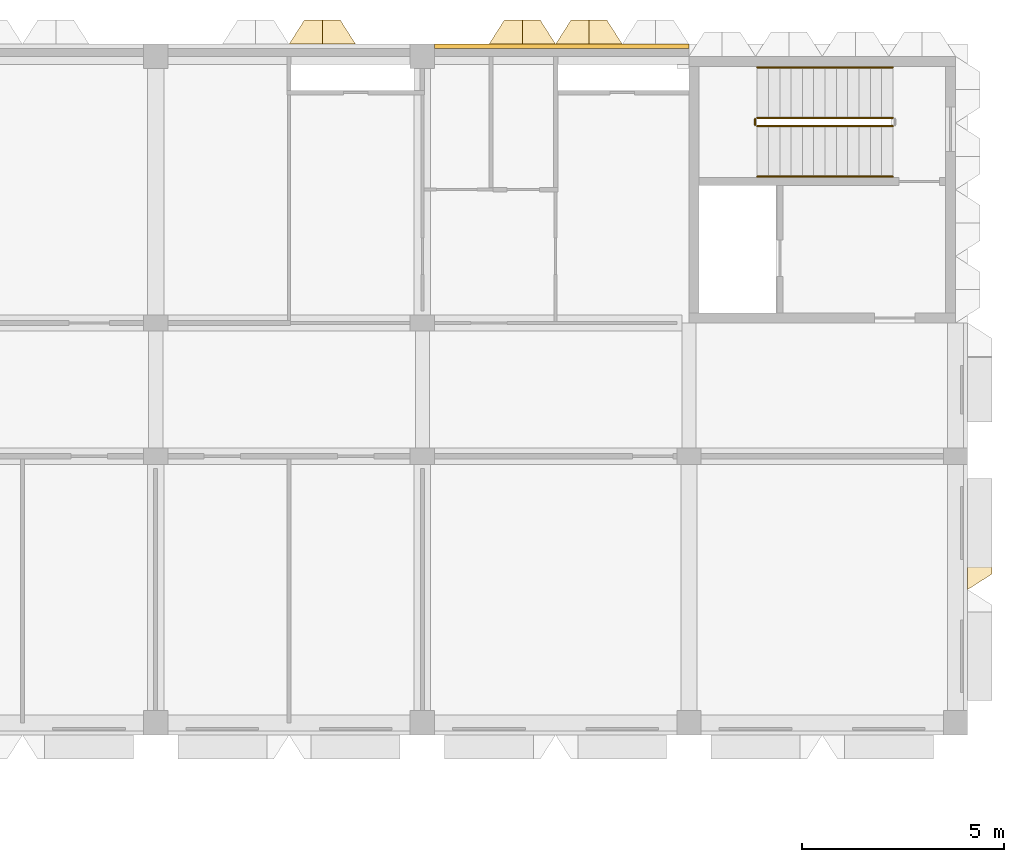
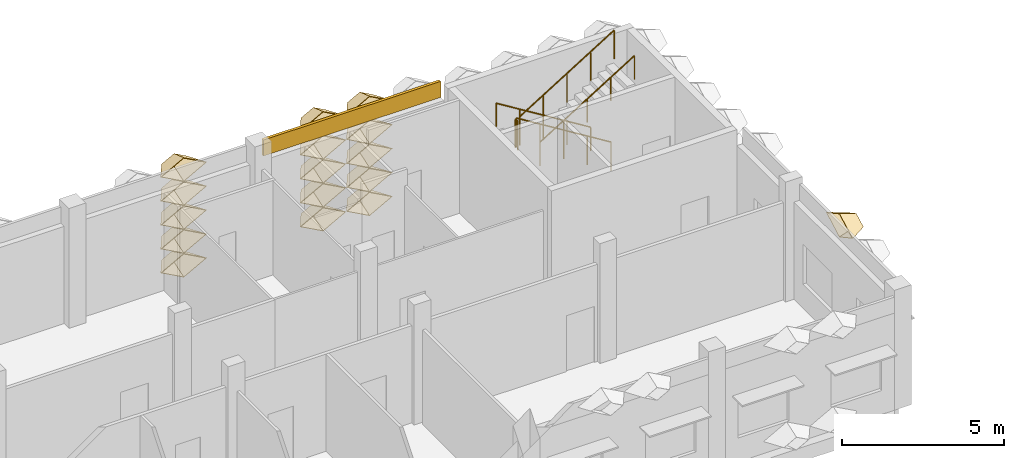
# One storey, part 97 of 109: 17 coverings, 5 railings.
"""IFC4 building model written with IfcOpenShell, lengths in metres."""

from ifc_helpers import new_model, entity, si_unit, direction, frame, frame_2d, origin, origin_2d, place, context, subcontext, project, spatial, rectangle, circle, extrude, material, layer, layer_set, type_object, element, save


model = new_model("IFC4")

# Units and contexts
model_context = context("Model", 3, precision=1e-05, world=origin(), true_north=direction((0.0, 1.0)))
body_context = subcontext(model_context, "Body", "Model", "MODEL_VIEW")
ifc_project = project(units=[si_unit("LENGTHUNIT", "METRE"), si_unit("AREAUNIT", "SQUARE_METRE"), si_unit("VOLUMEUNIT", "CUBIC_METRE"), si_unit("PLANEANGLEUNIT", "RADIAN"), si_unit("MASSUNIT", "GRAM", prefix="KILO")], contexts=[model_context])

# Site, building, storey
site_placement = place(None, origin())
site = spatial("IfcSite", under=ifc_project, at=site_placement, CompositionType="ELEMENT")
building_placement = place(site_placement, origin())
building = spatial("IfcBuilding", under=site, at=building_placement, Name="Lantern Court Research Institute", CompositionType="ELEMENT")
storey_placement = place(building_placement, frame((0.0, 0.0, 14.39990234375)))
storey = spatial("IfcBuildingStorey", under=building, at=storey_placement, Name="L03", CompositionType="ELEMENT", Elevation=14.39990234375)

# Coverings
ifc_material_1 = material(Name="Aluminium composite panel with mineral wool insulation", Category="aluminium")
ifc_layer_1 = layer(ifc_material_1, 0.10009765625)
ifc_layer_set_1 = layer_set([ifc_layer_1], Name="Aluminium composite panel with mineral wool insulation")
covering_type_1 = type_object("IfcCoveringType", Name="Edge fascia panel 100 aluminium faced", PredefinedType="CLADDING", material=ifc_layer_set_1)
covering_1_placement = place(storey_placement, frame((66.300048828125, 99.25, 3.650146484375), z_axis=(0.0, 0.0, 1.0), x_axis=(1.0, 0.0, 0.0)))
element("IfcCovering", 1, at=covering_1_placement, inside=storey, type_object=covering_type_1, Name="Edge fascia V6N L03 10", PredefinedType="CLADDING", context=body_context, shape_type="SweptSolid", body=[
    extrude(rectangle(XDim=6.300048828125, YDim=0.10009765625, at=frame_2d((3.14990234375, 0.0))), origin(), (0.0, 0.0, 1.0), 0.599853515625),
])
ifc_material_2 = material(Name="Anodised aluminium", Category="aluminium")
ifc_layer_2 = layer(ifc_material_2, 0.01611328125)
ifc_layer_set_2 = layer_set([ifc_layer_2], Name="Anodised aluminium")
covering_type_2 = type_object("IfcCoveringType", Name="Fin cassette 1650 x 900 x 600 aluminium", PredefinedType="CLADDING", material=ifc_layer_set_2)
covering_2_placement = place(storey_placement, frame((79.5, 86.625, 4.050048828125), z_axis=(1.0, 0.0, 0.0), x_axis=(0.0, 1.0, 0.0)))
cartesian_point_1 = entity("IfcCartesianPoint", [0.824951171875, 0.0])
cartesian_point_2 = entity("IfcCartesianPoint", [0.79150390625, 0.0])
cartesian_point_3 = entity("IfcCartesianPoint", [0.44189453125, 0.0])
cartesian_point_4 = entity("IfcCartesianPoint", [0.43359375, 0.0])
element("IfcCovering", 2, at=covering_2_placement, inside=storey, type_object=covering_type_2, Name="Fin cassette V6E-L03 5.53", PredefinedType="CLADDING", context=body_context, shape_type="SweptSolid", body=[
    entity("IfcExtrudedAreaSolidTapered", entity("IfcArbitraryProfileDefWithVoids", "AREA", None, entity("IfcPolyline", [cartesian_point_1, entity("IfcCartesianPoint", [0.0, 0.449951171875]), entity("IfcCartesianPoint", [-0.824951171875, 0.0]), entity("IfcCartesianPoint", [0.0, -0.449951171875]), cartesian_point_1]), [entity("IfcPolyline", [cartesian_point_2, entity("IfcCartesianPoint", [0.0, 0.431884765625]), entity("IfcCartesianPoint", [-0.79150390625, 0.0]), entity("IfcCartesianPoint", [0.0, -0.431884765625]), cartesian_point_2])]), entity("IfcAxis2Placement3D", entity("IfcCartesianPoint", [0.0, 0.0, 0.0])), entity("IfcDirection", [0.0, 0.0, 1.0]), 0.60009765625, entity("IfcArbitraryProfileDefWithVoids", "AREA", None, entity("IfcPolyline", [cartesian_point_3, entity("IfcCartesianPoint", [0.0, 0.240966796875]), entity("IfcCartesianPoint", [-0.44189453125, 0.0]), entity("IfcCartesianPoint", [0.0, -0.240966796875]), cartesian_point_3]), [entity("IfcPolyline", [cartesian_point_4, entity("IfcCartesianPoint", [0.0, 0.236572265625]), entity("IfcCartesianPoint", [-0.43359375, 0.0]), entity("IfcCartesianPoint", [0.0, -0.236572265625]), cartesian_point_4])])),
])
covering_3_placement = place(storey_placement, frame((63.52490234375, 99.300048828125, 0.4501953125), z_axis=(0.0, 1.0, 0.0), x_axis=(-1.0, 0.0, 0.0)))
cartesian_point_5 = entity("IfcCartesianPoint", [0.824951171875, 0.0])
cartesian_point_6 = entity("IfcCartesianPoint", [0.79150390625, 0.0])
cartesian_point_7 = entity("IfcCartesianPoint", [0.44189453125, 0.0])
cartesian_point_8 = entity("IfcCartesianPoint", [0.43359375, 0.0])
element("IfcCovering", 3, at=covering_3_placement, inside=storey, type_object=covering_type_2, Name="Fin cassette V6N-L03 1.39", PredefinedType="CLADDING", context=body_context, shape_type="SweptSolid", body=[
    entity("IfcExtrudedAreaSolidTapered", entity("IfcArbitraryProfileDefWithVoids", "AREA", None, entity("IfcPolyline", [cartesian_point_5, entity("IfcCartesianPoint", [0.0, 0.449951171875]), entity("IfcCartesianPoint", [-0.824951171875, 0.0]), entity("IfcCartesianPoint", [0.0, -0.449951171875]), cartesian_point_5]), [entity("IfcPolyline", [cartesian_point_6, entity("IfcCartesianPoint", [0.0, 0.431884765625]), entity("IfcCartesianPoint", [-0.79150390625, 0.0]), entity("IfcCartesianPoint", [0.0, -0.431884765625]), cartesian_point_6])]), entity("IfcAxis2Placement3D", entity("IfcCartesianPoint", [0.0, 0.0, 0.0])), entity("IfcDirection", [0.0, 0.0, 1.0]), 0.60009765625, entity("IfcArbitraryProfileDefWithVoids", "AREA", None, entity("IfcPolyline", [cartesian_point_7, entity("IfcCartesianPoint", [0.0, 0.240966796875]), entity("IfcCartesianPoint", [-0.44189453125, 0.0]), entity("IfcCartesianPoint", [0.0, -0.240966796875]), cartesian_point_7]), [entity("IfcPolyline", [cartesian_point_8, entity("IfcCartesianPoint", [0.0, 0.236572265625]), entity("IfcCartesianPoint", [-0.43359375, 0.0]), entity("IfcCartesianPoint", [0.0, -0.236572265625]), cartesian_point_8])])),
])
covering_4_placement = place(storey_placement, frame((68.47509765625, 99.300048828125, 0.4501953125), z_axis=(0.0, 1.0, 0.0), x_axis=(-1.0, 0.0, 0.0)))
cartesian_point_9 = entity("IfcCartesianPoint", [0.824951171875, 0.0])
cartesian_point_10 = entity("IfcCartesianPoint", [0.79150390625, 0.0])
cartesian_point_11 = entity("IfcCartesianPoint", [0.44189453125, 0.0])
cartesian_point_12 = entity("IfcCartesianPoint", [0.43359375, 0.0])
element("IfcCovering", 4, at=covering_4_placement, inside=storey, type_object=covering_type_2, Name="Fin cassette V6N-L03 1.42", PredefinedType="CLADDING", context=body_context, shape_type="SweptSolid", body=[
    entity("IfcExtrudedAreaSolidTapered", entity("IfcArbitraryProfileDefWithVoids", "AREA", None, entity("IfcPolyline", [cartesian_point_9, entity("IfcCartesianPoint", [0.0, 0.449951171875]), entity("IfcCartesianPoint", [-0.824951171875, 0.0]), entity("IfcCartesianPoint", [0.0, -0.449951171875]), cartesian_point_9]), [entity("IfcPolyline", [cartesian_point_10, entity("IfcCartesianPoint", [0.0, 0.431884765625]), entity("IfcCartesianPoint", [-0.79150390625, 0.0]), entity("IfcCartesianPoint", [0.0, -0.431884765625]), cartesian_point_10])]), entity("IfcAxis2Placement3D", entity("IfcCartesianPoint", [0.0, 0.0, 0.0])), entity("IfcDirection", [0.0, 0.0, 1.0]), 0.60009765625, entity("IfcArbitraryProfileDefWithVoids", "AREA", None, entity("IfcPolyline", [cartesian_point_11, entity("IfcCartesianPoint", [0.0, 0.240966796875]), entity("IfcCartesianPoint", [-0.44189453125, 0.0]), entity("IfcCartesianPoint", [0.0, -0.240966796875]), cartesian_point_11]), [entity("IfcPolyline", [cartesian_point_12, entity("IfcCartesianPoint", [0.0, 0.236572265625]), entity("IfcCartesianPoint", [-0.43359375, 0.0]), entity("IfcCartesianPoint", [0.0, -0.236572265625]), cartesian_point_12])])),
])
covering_5_placement = place(storey_placement, frame((70.125, 99.300048828125, 0.4501953125), z_axis=(0.0, 1.0, 0.0), x_axis=(-1.0, 0.0, 0.0)))
cartesian_point_13 = entity("IfcCartesianPoint", [0.824951171875, 0.0])
cartesian_point_14 = entity("IfcCartesianPoint", [0.79150390625, 0.0])
cartesian_point_15 = entity("IfcCartesianPoint", [0.44189453125, 0.0])
cartesian_point_16 = entity("IfcCartesianPoint", [0.43359375, 0.0])
element("IfcCovering", 5, at=covering_5_placement, inside=storey, type_object=covering_type_2, Name="Fin cassette V6N-L03 1.43", PredefinedType="CLADDING", context=body_context, shape_type="SweptSolid", body=[
    entity("IfcExtrudedAreaSolidTapered", entity("IfcArbitraryProfileDefWithVoids", "AREA", None, entity("IfcPolyline", [cartesian_point_13, entity("IfcCartesianPoint", [0.0, 0.449951171875]), entity("IfcCartesianPoint", [-0.824951171875, 0.0]), entity("IfcCartesianPoint", [0.0, -0.449951171875]), cartesian_point_13]), [entity("IfcPolyline", [cartesian_point_14, entity("IfcCartesianPoint", [0.0, 0.431884765625]), entity("IfcCartesianPoint", [-0.79150390625, 0.0]), entity("IfcCartesianPoint", [0.0, -0.431884765625]), cartesian_point_14])]), entity("IfcAxis2Placement3D", entity("IfcCartesianPoint", [0.0, 0.0, 0.0])), entity("IfcDirection", [0.0, 0.0, 1.0]), 0.60009765625, entity("IfcArbitraryProfileDefWithVoids", "AREA", None, entity("IfcPolyline", [cartesian_point_15, entity("IfcCartesianPoint", [0.0, 0.240966796875]), entity("IfcCartesianPoint", [-0.44189453125, 0.0]), entity("IfcCartesianPoint", [0.0, -0.240966796875]), cartesian_point_15]), [entity("IfcPolyline", [cartesian_point_16, entity("IfcCartesianPoint", [0.0, 0.236572265625]), entity("IfcCartesianPoint", [-0.43359375, 0.0]), entity("IfcCartesianPoint", [0.0, -0.236572265625]), cartesian_point_16])])),
])
covering_6_placement = place(storey_placement, frame((63.52490234375, 99.300048828125, 1.35009765625), z_axis=(0.0, 1.0, 0.0), x_axis=(-1.0, 0.0, 0.0)))
cartesian_point_17 = entity("IfcCartesianPoint", [0.824951171875, 0.0])
cartesian_point_18 = entity("IfcCartesianPoint", [0.79150390625, 0.0])
cartesian_point_19 = entity("IfcCartesianPoint", [0.44189453125, 0.0])
cartesian_point_20 = entity("IfcCartesianPoint", [0.43359375, 0.0])
element("IfcCovering", 6, at=covering_6_placement, inside=storey, type_object=covering_type_2, Name="Fin cassette V6N-L03 2.39", PredefinedType="CLADDING", context=body_context, shape_type="SweptSolid", body=[
    entity("IfcExtrudedAreaSolidTapered", entity("IfcArbitraryProfileDefWithVoids", "AREA", None, entity("IfcPolyline", [cartesian_point_17, entity("IfcCartesianPoint", [0.0, 0.449951171875]), entity("IfcCartesianPoint", [-0.824951171875, 0.0]), entity("IfcCartesianPoint", [0.0, -0.449951171875]), cartesian_point_17]), [entity("IfcPolyline", [cartesian_point_18, entity("IfcCartesianPoint", [0.0, 0.431884765625]), entity("IfcCartesianPoint", [-0.79150390625, 0.0]), entity("IfcCartesianPoint", [0.0, -0.431884765625]), cartesian_point_18])]), entity("IfcAxis2Placement3D", entity("IfcCartesianPoint", [0.0, 0.0, 0.0])), entity("IfcDirection", [0.0, 0.0, 1.0]), 0.60009765625, entity("IfcArbitraryProfileDefWithVoids", "AREA", None, entity("IfcPolyline", [cartesian_point_19, entity("IfcCartesianPoint", [0.0, 0.240966796875]), entity("IfcCartesianPoint", [-0.44189453125, 0.0]), entity("IfcCartesianPoint", [0.0, -0.240966796875]), cartesian_point_19]), [entity("IfcPolyline", [cartesian_point_20, entity("IfcCartesianPoint", [0.0, 0.236572265625]), entity("IfcCartesianPoint", [-0.43359375, 0.0]), entity("IfcCartesianPoint", [0.0, -0.236572265625]), cartesian_point_20])])),
])
covering_7_placement = place(storey_placement, frame((68.47509765625, 99.300048828125, 1.35009765625), z_axis=(0.0, 1.0, 0.0), x_axis=(-1.0, 0.0, 0.0)))
cartesian_point_21 = entity("IfcCartesianPoint", [0.824951171875, 0.0])
cartesian_point_22 = entity("IfcCartesianPoint", [0.79150390625, 0.0])
cartesian_point_23 = entity("IfcCartesianPoint", [0.44189453125, 0.0])
cartesian_point_24 = entity("IfcCartesianPoint", [0.43359375, 0.0])
element("IfcCovering", 7, at=covering_7_placement, inside=storey, type_object=covering_type_2, Name="Fin cassette V6N-L03 2.42", PredefinedType="CLADDING", context=body_context, shape_type="SweptSolid", body=[
    entity("IfcExtrudedAreaSolidTapered", entity("IfcArbitraryProfileDefWithVoids", "AREA", None, entity("IfcPolyline", [cartesian_point_21, entity("IfcCartesianPoint", [0.0, 0.449951171875]), entity("IfcCartesianPoint", [-0.824951171875, 0.0]), entity("IfcCartesianPoint", [0.0, -0.449951171875]), cartesian_point_21]), [entity("IfcPolyline", [cartesian_point_22, entity("IfcCartesianPoint", [0.0, 0.431884765625]), entity("IfcCartesianPoint", [-0.79150390625, 0.0]), entity("IfcCartesianPoint", [0.0, -0.431884765625]), cartesian_point_22])]), entity("IfcAxis2Placement3D", entity("IfcCartesianPoint", [0.0, 0.0, 0.0])), entity("IfcDirection", [0.0, 0.0, 1.0]), 0.60009765625, entity("IfcArbitraryProfileDefWithVoids", "AREA", None, entity("IfcPolyline", [cartesian_point_23, entity("IfcCartesianPoint", [0.0, 0.240966796875]), entity("IfcCartesianPoint", [-0.44189453125, 0.0]), entity("IfcCartesianPoint", [0.0, -0.240966796875]), cartesian_point_23]), [entity("IfcPolyline", [cartesian_point_24, entity("IfcCartesianPoint", [0.0, 0.236572265625]), entity("IfcCartesianPoint", [-0.43359375, 0.0]), entity("IfcCartesianPoint", [0.0, -0.236572265625]), cartesian_point_24])])),
])
covering_8_placement = place(storey_placement, frame((70.125, 99.300048828125, 1.35009765625), z_axis=(0.0, 1.0, 0.0), x_axis=(-1.0, 0.0, 0.0)))
cartesian_point_25 = entity("IfcCartesianPoint", [0.824951171875, 0.0])
cartesian_point_26 = entity("IfcCartesianPoint", [0.79150390625, 0.0])
cartesian_point_27 = entity("IfcCartesianPoint", [0.44189453125, 0.0])
cartesian_point_28 = entity("IfcCartesianPoint", [0.43359375, 0.0])
element("IfcCovering", 8, at=covering_8_placement, inside=storey, type_object=covering_type_2, Name="Fin cassette V6N-L03 2.43", PredefinedType="CLADDING", context=body_context, shape_type="SweptSolid", body=[
    entity("IfcExtrudedAreaSolidTapered", entity("IfcArbitraryProfileDefWithVoids", "AREA", None, entity("IfcPolyline", [cartesian_point_25, entity("IfcCartesianPoint", [0.0, 0.449951171875]), entity("IfcCartesianPoint", [-0.824951171875, 0.0]), entity("IfcCartesianPoint", [0.0, -0.449951171875]), cartesian_point_25]), [entity("IfcPolyline", [cartesian_point_26, entity("IfcCartesianPoint", [0.0, 0.431884765625]), entity("IfcCartesianPoint", [-0.79150390625, 0.0]), entity("IfcCartesianPoint", [0.0, -0.431884765625]), cartesian_point_26])]), entity("IfcAxis2Placement3D", entity("IfcCartesianPoint", [0.0, 0.0, 0.0])), entity("IfcDirection", [0.0, 0.0, 1.0]), 0.60009765625, entity("IfcArbitraryProfileDefWithVoids", "AREA", None, entity("IfcPolyline", [cartesian_point_27, entity("IfcCartesianPoint", [0.0, 0.240966796875]), entity("IfcCartesianPoint", [-0.44189453125, 0.0]), entity("IfcCartesianPoint", [0.0, -0.240966796875]), cartesian_point_27]), [entity("IfcPolyline", [cartesian_point_28, entity("IfcCartesianPoint", [0.0, 0.236572265625]), entity("IfcCartesianPoint", [-0.43359375, 0.0]), entity("IfcCartesianPoint", [0.0, -0.236572265625]), cartesian_point_28])])),
])
covering_9_placement = place(storey_placement, frame((63.52490234375, 99.300048828125, 2.25), z_axis=(0.0, 1.0, 0.0), x_axis=(-1.0, 0.0, 0.0)))
cartesian_point_29 = entity("IfcCartesianPoint", [0.824951171875, 0.0])
cartesian_point_30 = entity("IfcCartesianPoint", [0.79150390625, 0.0])
cartesian_point_31 = entity("IfcCartesianPoint", [0.44189453125, 0.0])
cartesian_point_32 = entity("IfcCartesianPoint", [0.43359375, 0.0])
element("IfcCovering", 9, at=covering_9_placement, inside=storey, type_object=covering_type_2, Name="Fin cassette V6N-L03 3.39", PredefinedType="CLADDING", context=body_context, shape_type="SweptSolid", body=[
    entity("IfcExtrudedAreaSolidTapered", entity("IfcArbitraryProfileDefWithVoids", "AREA", None, entity("IfcPolyline", [cartesian_point_29, entity("IfcCartesianPoint", [0.0, 0.449951171875]), entity("IfcCartesianPoint", [-0.824951171875, 0.0]), entity("IfcCartesianPoint", [0.0, -0.449951171875]), cartesian_point_29]), [entity("IfcPolyline", [cartesian_point_30, entity("IfcCartesianPoint", [0.0, 0.431884765625]), entity("IfcCartesianPoint", [-0.79150390625, 0.0]), entity("IfcCartesianPoint", [0.0, -0.431884765625]), cartesian_point_30])]), entity("IfcAxis2Placement3D", entity("IfcCartesianPoint", [0.0, 0.0, 0.0])), entity("IfcDirection", [0.0, 0.0, 1.0]), 0.60009765625, entity("IfcArbitraryProfileDefWithVoids", "AREA", None, entity("IfcPolyline", [cartesian_point_31, entity("IfcCartesianPoint", [0.0, 0.240966796875]), entity("IfcCartesianPoint", [-0.44189453125, 0.0]), entity("IfcCartesianPoint", [0.0, -0.240966796875]), cartesian_point_31]), [entity("IfcPolyline", [cartesian_point_32, entity("IfcCartesianPoint", [0.0, 0.236572265625]), entity("IfcCartesianPoint", [-0.43359375, 0.0]), entity("IfcCartesianPoint", [0.0, -0.236572265625]), cartesian_point_32])])),
])
covering_10_placement = place(storey_placement, frame((68.47509765625, 99.300048828125, 2.25), z_axis=(0.0, 1.0, 0.0), x_axis=(-1.0, 0.0, 0.0)))
cartesian_point_33 = entity("IfcCartesianPoint", [0.824951171875, 0.0])
cartesian_point_34 = entity("IfcCartesianPoint", [0.79150390625, 0.0])
cartesian_point_35 = entity("IfcCartesianPoint", [0.44189453125, 0.0])
cartesian_point_36 = entity("IfcCartesianPoint", [0.43359375, 0.0])
element("IfcCovering", 10, at=covering_10_placement, inside=storey, type_object=covering_type_2, Name="Fin cassette V6N-L03 3.42", PredefinedType="CLADDING", context=body_context, shape_type="SweptSolid", body=[
    entity("IfcExtrudedAreaSolidTapered", entity("IfcArbitraryProfileDefWithVoids", "AREA", None, entity("IfcPolyline", [cartesian_point_33, entity("IfcCartesianPoint", [0.0, 0.449951171875]), entity("IfcCartesianPoint", [-0.824951171875, 0.0]), entity("IfcCartesianPoint", [0.0, -0.449951171875]), cartesian_point_33]), [entity("IfcPolyline", [cartesian_point_34, entity("IfcCartesianPoint", [0.0, 0.431884765625]), entity("IfcCartesianPoint", [-0.79150390625, 0.0]), entity("IfcCartesianPoint", [0.0, -0.431884765625]), cartesian_point_34])]), entity("IfcAxis2Placement3D", entity("IfcCartesianPoint", [0.0, 0.0, 0.0])), entity("IfcDirection", [0.0, 0.0, 1.0]), 0.60009765625, entity("IfcArbitraryProfileDefWithVoids", "AREA", None, entity("IfcPolyline", [cartesian_point_35, entity("IfcCartesianPoint", [0.0, 0.240966796875]), entity("IfcCartesianPoint", [-0.44189453125, 0.0]), entity("IfcCartesianPoint", [0.0, -0.240966796875]), cartesian_point_35]), [entity("IfcPolyline", [cartesian_point_36, entity("IfcCartesianPoint", [0.0, 0.236572265625]), entity("IfcCartesianPoint", [-0.43359375, 0.0]), entity("IfcCartesianPoint", [0.0, -0.236572265625]), cartesian_point_36])])),
])
covering_11_placement = place(storey_placement, frame((70.125, 99.300048828125, 2.25), z_axis=(0.0, 1.0, 0.0), x_axis=(-1.0, 0.0, 0.0)))
cartesian_point_37 = entity("IfcCartesianPoint", [0.824951171875, 0.0])
cartesian_point_38 = entity("IfcCartesianPoint", [0.79150390625, 0.0])
cartesian_point_39 = entity("IfcCartesianPoint", [0.44189453125, 0.0])
cartesian_point_40 = entity("IfcCartesianPoint", [0.43359375, 0.0])
element("IfcCovering", 11, at=covering_11_placement, inside=storey, type_object=covering_type_2, Name="Fin cassette V6N-L03 3.43", PredefinedType="CLADDING", context=body_context, shape_type="SweptSolid", body=[
    entity("IfcExtrudedAreaSolidTapered", entity("IfcArbitraryProfileDefWithVoids", "AREA", None, entity("IfcPolyline", [cartesian_point_37, entity("IfcCartesianPoint", [0.0, 0.449951171875]), entity("IfcCartesianPoint", [-0.824951171875, 0.0]), entity("IfcCartesianPoint", [0.0, -0.449951171875]), cartesian_point_37]), [entity("IfcPolyline", [cartesian_point_38, entity("IfcCartesianPoint", [0.0, 0.431884765625]), entity("IfcCartesianPoint", [-0.79150390625, 0.0]), entity("IfcCartesianPoint", [0.0, -0.431884765625]), cartesian_point_38])]), entity("IfcAxis2Placement3D", entity("IfcCartesianPoint", [0.0, 0.0, 0.0])), entity("IfcDirection", [0.0, 0.0, 1.0]), 0.60009765625, entity("IfcArbitraryProfileDefWithVoids", "AREA", None, entity("IfcPolyline", [cartesian_point_39, entity("IfcCartesianPoint", [0.0, 0.240966796875]), entity("IfcCartesianPoint", [-0.44189453125, 0.0]), entity("IfcCartesianPoint", [0.0, -0.240966796875]), cartesian_point_39]), [entity("IfcPolyline", [cartesian_point_40, entity("IfcCartesianPoint", [0.0, 0.236572265625]), entity("IfcCartesianPoint", [-0.43359375, 0.0]), entity("IfcCartesianPoint", [0.0, -0.236572265625]), cartesian_point_40])])),
])
covering_12_placement = place(storey_placement, frame((63.52490234375, 99.300048828125, 3.150146484375), z_axis=(0.0, 1.0, 0.0), x_axis=(-1.0, 0.0, 0.0)))
cartesian_point_41 = entity("IfcCartesianPoint", [0.824951171875, 0.0])
cartesian_point_42 = entity("IfcCartesianPoint", [0.79150390625, 0.0])
cartesian_point_43 = entity("IfcCartesianPoint", [0.44189453125, 0.0])
cartesian_point_44 = entity("IfcCartesianPoint", [0.43359375, 0.0])
element("IfcCovering", 12, at=covering_12_placement, inside=storey, type_object=covering_type_2, Name="Fin cassette V6N-L03 4.39", PredefinedType="CLADDING", context=body_context, shape_type="SweptSolid", body=[
    entity("IfcExtrudedAreaSolidTapered", entity("IfcArbitraryProfileDefWithVoids", "AREA", None, entity("IfcPolyline", [cartesian_point_41, entity("IfcCartesianPoint", [0.0, 0.449951171875]), entity("IfcCartesianPoint", [-0.824951171875, 0.0]), entity("IfcCartesianPoint", [0.0, -0.449951171875]), cartesian_point_41]), [entity("IfcPolyline", [cartesian_point_42, entity("IfcCartesianPoint", [0.0, 0.431884765625]), entity("IfcCartesianPoint", [-0.79150390625, 0.0]), entity("IfcCartesianPoint", [0.0, -0.431884765625]), cartesian_point_42])]), entity("IfcAxis2Placement3D", entity("IfcCartesianPoint", [0.0, 0.0, 0.0])), entity("IfcDirection", [0.0, 0.0, 1.0]), 0.60009765625, entity("IfcArbitraryProfileDefWithVoids", "AREA", None, entity("IfcPolyline", [cartesian_point_43, entity("IfcCartesianPoint", [0.0, 0.240966796875]), entity("IfcCartesianPoint", [-0.44189453125, 0.0]), entity("IfcCartesianPoint", [0.0, -0.240966796875]), cartesian_point_43]), [entity("IfcPolyline", [cartesian_point_44, entity("IfcCartesianPoint", [0.0, 0.236572265625]), entity("IfcCartesianPoint", [-0.43359375, 0.0]), entity("IfcCartesianPoint", [0.0, -0.236572265625]), cartesian_point_44])])),
])
covering_13_placement = place(storey_placement, frame((68.47509765625, 99.300048828125, 3.150146484375), z_axis=(0.0, 1.0, 0.0), x_axis=(-1.0, 0.0, 0.0)))
cartesian_point_45 = entity("IfcCartesianPoint", [0.824951171875, 0.0])
cartesian_point_46 = entity("IfcCartesianPoint", [0.79150390625, 0.0])
cartesian_point_47 = entity("IfcCartesianPoint", [0.44189453125, 0.0])
cartesian_point_48 = entity("IfcCartesianPoint", [0.43359375, 0.0])
element("IfcCovering", 13, at=covering_13_placement, inside=storey, type_object=covering_type_2, Name="Fin cassette V6N-L03 4.42", PredefinedType="CLADDING", context=body_context, shape_type="SweptSolid", body=[
    entity("IfcExtrudedAreaSolidTapered", entity("IfcArbitraryProfileDefWithVoids", "AREA", None, entity("IfcPolyline", [cartesian_point_45, entity("IfcCartesianPoint", [0.0, 0.449951171875]), entity("IfcCartesianPoint", [-0.824951171875, 0.0]), entity("IfcCartesianPoint", [0.0, -0.449951171875]), cartesian_point_45]), [entity("IfcPolyline", [cartesian_point_46, entity("IfcCartesianPoint", [0.0, 0.431884765625]), entity("IfcCartesianPoint", [-0.79150390625, 0.0]), entity("IfcCartesianPoint", [0.0, -0.431884765625]), cartesian_point_46])]), entity("IfcAxis2Placement3D", entity("IfcCartesianPoint", [0.0, 0.0, 0.0])), entity("IfcDirection", [0.0, 0.0, 1.0]), 0.60009765625, entity("IfcArbitraryProfileDefWithVoids", "AREA", None, entity("IfcPolyline", [cartesian_point_47, entity("IfcCartesianPoint", [0.0, 0.240966796875]), entity("IfcCartesianPoint", [-0.44189453125, 0.0]), entity("IfcCartesianPoint", [0.0, -0.240966796875]), cartesian_point_47]), [entity("IfcPolyline", [cartesian_point_48, entity("IfcCartesianPoint", [0.0, 0.236572265625]), entity("IfcCartesianPoint", [-0.43359375, 0.0]), entity("IfcCartesianPoint", [0.0, -0.236572265625]), cartesian_point_48])])),
])
covering_14_placement = place(storey_placement, frame((70.125, 99.300048828125, 3.150146484375), z_axis=(0.0, 1.0, 0.0), x_axis=(-1.0, 0.0, 0.0)))
cartesian_point_49 = entity("IfcCartesianPoint", [0.824951171875, 0.0])
cartesian_point_50 = entity("IfcCartesianPoint", [0.79150390625, 0.0])
cartesian_point_51 = entity("IfcCartesianPoint", [0.44189453125, 0.0])
cartesian_point_52 = entity("IfcCartesianPoint", [0.43359375, 0.0])
element("IfcCovering", 14, at=covering_14_placement, inside=storey, type_object=covering_type_2, Name="Fin cassette V6N-L03 4.43", PredefinedType="CLADDING", context=body_context, shape_type="SweptSolid", body=[
    entity("IfcExtrudedAreaSolidTapered", entity("IfcArbitraryProfileDefWithVoids", "AREA", None, entity("IfcPolyline", [cartesian_point_49, entity("IfcCartesianPoint", [0.0, 0.449951171875]), entity("IfcCartesianPoint", [-0.824951171875, 0.0]), entity("IfcCartesianPoint", [0.0, -0.449951171875]), cartesian_point_49]), [entity("IfcPolyline", [cartesian_point_50, entity("IfcCartesianPoint", [0.0, 0.431884765625]), entity("IfcCartesianPoint", [-0.79150390625, 0.0]), entity("IfcCartesianPoint", [0.0, -0.431884765625]), cartesian_point_50])]), entity("IfcAxis2Placement3D", entity("IfcCartesianPoint", [0.0, 0.0, 0.0])), entity("IfcDirection", [0.0, 0.0, 1.0]), 0.60009765625, entity("IfcArbitraryProfileDefWithVoids", "AREA", None, entity("IfcPolyline", [cartesian_point_51, entity("IfcCartesianPoint", [0.0, 0.240966796875]), entity("IfcCartesianPoint", [-0.44189453125, 0.0]), entity("IfcCartesianPoint", [0.0, -0.240966796875]), cartesian_point_51]), [entity("IfcPolyline", [cartesian_point_52, entity("IfcCartesianPoint", [0.0, 0.236572265625]), entity("IfcCartesianPoint", [-0.43359375, 0.0]), entity("IfcCartesianPoint", [0.0, -0.236572265625]), cartesian_point_52])])),
])
covering_15_placement = place(storey_placement, frame((63.52490234375, 99.300048828125, 4.050048828125), z_axis=(0.0, 1.0, 0.0), x_axis=(-1.0, 0.0, 0.0)))
cartesian_point_53 = entity("IfcCartesianPoint", [0.824951171875, 0.0])
cartesian_point_54 = entity("IfcCartesianPoint", [0.79150390625, 0.0])
cartesian_point_55 = entity("IfcCartesianPoint", [0.44189453125, 0.0])
cartesian_point_56 = entity("IfcCartesianPoint", [0.43359375, 0.0])
element("IfcCovering", 15, at=covering_15_placement, inside=storey, type_object=covering_type_2, Name="Fin cassette V6N-L03 5.39", PredefinedType="CLADDING", context=body_context, shape_type="SweptSolid", body=[
    entity("IfcExtrudedAreaSolidTapered", entity("IfcArbitraryProfileDefWithVoids", "AREA", None, entity("IfcPolyline", [cartesian_point_53, entity("IfcCartesianPoint", [0.0, 0.449951171875]), entity("IfcCartesianPoint", [-0.824951171875, 0.0]), entity("IfcCartesianPoint", [0.0, -0.449951171875]), cartesian_point_53]), [entity("IfcPolyline", [cartesian_point_54, entity("IfcCartesianPoint", [0.0, 0.431884765625]), entity("IfcCartesianPoint", [-0.79150390625, 0.0]), entity("IfcCartesianPoint", [0.0, -0.431884765625]), cartesian_point_54])]), entity("IfcAxis2Placement3D", entity("IfcCartesianPoint", [0.0, 0.0, 0.0])), entity("IfcDirection", [0.0, 0.0, 1.0]), 0.60009765625, entity("IfcArbitraryProfileDefWithVoids", "AREA", None, entity("IfcPolyline", [cartesian_point_55, entity("IfcCartesianPoint", [0.0, 0.240966796875]), entity("IfcCartesianPoint", [-0.44189453125, 0.0]), entity("IfcCartesianPoint", [0.0, -0.240966796875]), cartesian_point_55]), [entity("IfcPolyline", [cartesian_point_56, entity("IfcCartesianPoint", [0.0, 0.236572265625]), entity("IfcCartesianPoint", [-0.43359375, 0.0]), entity("IfcCartesianPoint", [0.0, -0.236572265625]), cartesian_point_56])])),
])
covering_16_placement = place(storey_placement, frame((68.47509765625, 99.300048828125, 4.050048828125), z_axis=(0.0, 1.0, 0.0), x_axis=(-1.0, 0.0, 0.0)))
cartesian_point_57 = entity("IfcCartesianPoint", [0.824951171875, 0.0])
cartesian_point_58 = entity("IfcCartesianPoint", [0.79150390625, 0.0])
cartesian_point_59 = entity("IfcCartesianPoint", [0.44189453125, 0.0])
cartesian_point_60 = entity("IfcCartesianPoint", [0.43359375, 0.0])
element("IfcCovering", 16, at=covering_16_placement, inside=storey, type_object=covering_type_2, Name="Fin cassette V6N-L03 5.42", PredefinedType="CLADDING", context=body_context, shape_type="SweptSolid", body=[
    entity("IfcExtrudedAreaSolidTapered", entity("IfcArbitraryProfileDefWithVoids", "AREA", None, entity("IfcPolyline", [cartesian_point_57, entity("IfcCartesianPoint", [0.0, 0.449951171875]), entity("IfcCartesianPoint", [-0.824951171875, 0.0]), entity("IfcCartesianPoint", [0.0, -0.449951171875]), cartesian_point_57]), [entity("IfcPolyline", [cartesian_point_58, entity("IfcCartesianPoint", [0.0, 0.431884765625]), entity("IfcCartesianPoint", [-0.79150390625, 0.0]), entity("IfcCartesianPoint", [0.0, -0.431884765625]), cartesian_point_58])]), entity("IfcAxis2Placement3D", entity("IfcCartesianPoint", [0.0, 0.0, 0.0])), entity("IfcDirection", [0.0, 0.0, 1.0]), 0.60009765625, entity("IfcArbitraryProfileDefWithVoids", "AREA", None, entity("IfcPolyline", [cartesian_point_59, entity("IfcCartesianPoint", [0.0, 0.240966796875]), entity("IfcCartesianPoint", [-0.44189453125, 0.0]), entity("IfcCartesianPoint", [0.0, -0.240966796875]), cartesian_point_59]), [entity("IfcPolyline", [cartesian_point_60, entity("IfcCartesianPoint", [0.0, 0.236572265625]), entity("IfcCartesianPoint", [-0.43359375, 0.0]), entity("IfcCartesianPoint", [0.0, -0.236572265625]), cartesian_point_60])])),
])
covering_17_placement = place(storey_placement, frame((70.125, 99.300048828125, 4.050048828125), z_axis=(0.0, 1.0, 0.0), x_axis=(-1.0, 0.0, 0.0)))
cartesian_point_61 = entity("IfcCartesianPoint", [0.824951171875, 0.0])
cartesian_point_62 = entity("IfcCartesianPoint", [0.79150390625, 0.0])
cartesian_point_63 = entity("IfcCartesianPoint", [0.44189453125, 0.0])
cartesian_point_64 = entity("IfcCartesianPoint", [0.43359375, 0.0])
element("IfcCovering", 17, at=covering_17_placement, inside=storey, type_object=covering_type_2, Name="Fin cassette V6N-L03 5.43", PredefinedType="CLADDING", context=body_context, shape_type="SweptSolid", body=[
    entity("IfcExtrudedAreaSolidTapered", entity("IfcArbitraryProfileDefWithVoids", "AREA", None, entity("IfcPolyline", [cartesian_point_61, entity("IfcCartesianPoint", [0.0, 0.449951171875]), entity("IfcCartesianPoint", [-0.824951171875, 0.0]), entity("IfcCartesianPoint", [0.0, -0.449951171875]), cartesian_point_61]), [entity("IfcPolyline", [cartesian_point_62, entity("IfcCartesianPoint", [0.0, 0.431884765625]), entity("IfcCartesianPoint", [-0.79150390625, 0.0]), entity("IfcCartesianPoint", [0.0, -0.431884765625]), cartesian_point_62])]), entity("IfcAxis2Placement3D", entity("IfcCartesianPoint", [0.0, 0.0, 0.0])), entity("IfcDirection", [0.0, 0.0, 1.0]), 0.60009765625, entity("IfcArbitraryProfileDefWithVoids", "AREA", None, entity("IfcPolyline", [cartesian_point_63, entity("IfcCartesianPoint", [0.0, 0.240966796875]), entity("IfcCartesianPoint", [-0.44189453125, 0.0]), entity("IfcCartesianPoint", [0.0, -0.240966796875]), cartesian_point_63]), [entity("IfcPolyline", [cartesian_point_64, entity("IfcCartesianPoint", [0.0, 0.236572265625]), entity("IfcCartesianPoint", [-0.43359375, 0.0]), entity("IfcCartesianPoint", [0.0, -0.236572265625]), cartesian_point_64])])),
])

# Railings
ifc_material_3 = material(Name="Structural steel S355", Category="steel")
railing_type_1 = type_object("IfcRailingType", Name="Stair guard 1100 steel", PredefinedType="GUARDRAIL", material=ifc_material_3)
railing_1_placement = place(storey_placement, frame((77.64990234375, 97.47509765625, 0.173095703125)))
element("IfcRailing", 18, at=railing_1_placement, inside=storey, type_object=railing_type_1, Name="L03 ST-W3 stair guard 1", PredefinedType="GUARDRAIL", context=body_context, shape_type="SweptSolid", body=[
    extrude(circle(Radius=0.02392578125, at=origin_2d()), frame((0.0, 0.0, 1.076171875), z_axis=(-0.850606129759, 0.0, 0.525803396734), x_axis=(0.0, -1.0, 0.0)), (0.0, 0.0, 1.0), 3.949951171875),
    extrude(circle(Radius=0.02099609375, at=origin_2d()), origin(), (0.0, 0.0, 1.0), 1.052001953125),
    extrude(circle(Radius=0.02099609375, at=origin_2d()), frame((-0.83984375, 0.0, 0.519287109375)), (0.0, 0.0, 1.0), 1.052001953125),
    extrude(circle(Radius=0.02099609375, at=origin_2d()), frame((-1.679931640625, 0.0, 1.03857421875)), (0.0, 0.0, 1.0), 1.052001953125),
    extrude(circle(Radius=0.02099609375, at=origin_2d()), frame((-2.52001953125, 0.0, 1.5576171875)), (0.0, 0.0, 1.0), 1.052001953125),
    extrude(circle(Radius=0.02099609375, at=origin_2d()), frame((-3.35986328125, 0.0, 2.076904296875)), (0.0, 0.0, 1.0), 1.052001953125),
])
railing_2_placement = place(storey_placement, frame((74.239990234375, 97.449951171875, 2.25)))
element("IfcRailing", 19, at=railing_2_placement, inside=storey, type_object=railing_type_1, Name="L03 ST-W3 stair guard 2", PredefinedType="GUARDRAIL", context=body_context, shape_type="SweptSolid", body=[
    extrude(circle(Radius=0.02392578125, at=origin_2d()), frame((0.0, 0.0, 1.076171875), z_axis=(0.0, -1.0, 0.0), x_axis=(1.0, 0.0, 0.0)), (0.0, 0.0, 1.0), 0.14990234375),
    extrude(circle(Radius=0.02099609375, at=origin_2d()), origin(), (0.0, 0.0, 1.0), 1.052001953125),
    extrude(circle(Radius=0.02099609375, at=origin_2d()), frame((0.0, -0.14990234375, 0.0)), (0.0, 0.0, 1.0), 1.052001953125),
])
railing_3_placement = place(storey_placement, frame((74.2900390625, 97.27490234375, 2.423095703125)))
element("IfcRailing", 20, at=railing_3_placement, inside=storey, type_object=railing_type_1, Name="L03 ST-W3 stair guard 3", PredefinedType="GUARDRAIL", context=body_context, shape_type="SweptSolid", body=[
    extrude(circle(Radius=0.02392578125, at=origin_2d()), frame((0.0, 0.0, 1.076171875), z_axis=(0.850606129759, 0.0, 0.525803396734), x_axis=(0.0, 1.0, 0.0)), (0.0, 0.0, 1.0), 3.949951171875),
    extrude(circle(Radius=0.02099609375, at=origin_2d()), origin(), (0.0, 0.0, 1.0), 1.052001953125),
    extrude(circle(Radius=0.02099609375, at=origin_2d()), frame((0.83984375, 0.0, 0.519287109375)), (0.0, 0.0, 1.0), 1.052001953125),
    extrude(circle(Radius=0.02099609375, at=origin_2d()), frame((1.679931640625, 0.0, 1.03857421875)), (0.0, 0.0, 1.0), 1.052001953125),
    extrude(circle(Radius=0.02099609375, at=origin_2d()), frame((2.52001953125, 0.0, 1.5576171875)), (0.0, 0.0, 1.0), 1.052001953125),
    extrude(circle(Radius=0.02099609375, at=origin_2d()), frame((3.35986328125, 0.0, 2.076904296875)), (0.0, 0.0, 1.0), 1.052001953125),
])
ifc_material_4 = material(Name="Stainless steel 316", Category="steel")
railing_type_2 = type_object("IfcRailingType", Name="Stair handrail 900 steel", PredefinedType="HANDRAIL", material=ifc_material_4)
railing_4_placement = place(storey_placement, frame((77.64990234375, 98.72509765625, 0.173095703125)))
element("IfcRailing", 21, at=railing_4_placement, inside=storey, type_object=railing_type_2, Name="L03 ST-W3 stair handrail 1", PredefinedType="HANDRAIL", context=body_context, shape_type="SweptSolid", body=[
    extrude(circle(Radius=0.02392578125, at=origin_2d()), frame((0.0, 0.0, 0.8759765625), z_axis=(-0.850606129759, 0.0, 0.525803396734), x_axis=(0.0, -1.0, 0.0)), (0.0, 0.0, 1.0), 3.949951171875),
    extrude(circle(Radius=0.02099609375, at=origin_2d()), origin(), (0.0, 0.0, 1.0), 0.851806640625),
    extrude(circle(Radius=0.02099609375, at=origin_2d()), frame((-0.83984375, 0.0, 0.519287109375)), (0.0, 0.0, 1.0), 0.851806640625),
    extrude(circle(Radius=0.02099609375, at=origin_2d()), frame((-1.679931640625, 0.0, 1.03857421875)), (0.0, 0.0, 1.0), 0.851806640625),
    extrude(circle(Radius=0.02099609375, at=origin_2d()), frame((-2.52001953125, 0.0, 1.5576171875)), (0.0, 0.0, 1.0), 0.851806640625),
    extrude(circle(Radius=0.02099609375, at=origin_2d()), frame((-3.35986328125, 0.0, 2.076904296875)), (0.0, 0.0, 1.0), 0.851806640625),
])
railing_5_placement = place(storey_placement, frame((74.2900390625, 96.02490234375, 2.423095703125)))
element("IfcRailing", 22, at=railing_5_placement, inside=storey, type_object=railing_type_2, Name="L03 ST-W3 stair handrail 2", PredefinedType="HANDRAIL", context=body_context, shape_type="SweptSolid", body=[
    extrude(circle(Radius=0.02392578125, at=origin_2d()), frame((0.0, 0.0, 0.8759765625), z_axis=(0.850606129759, 0.0, 0.525803396734), x_axis=(0.0, 1.0, 0.0)), (0.0, 0.0, 1.0), 3.949951171875),
    extrude(circle(Radius=0.02099609375, at=origin_2d()), origin(), (0.0, 0.0, 1.0), 0.851806640625),
    extrude(circle(Radius=0.02099609375, at=origin_2d()), frame((0.83984375, 0.0, 0.519287109375)), (0.0, 0.0, 1.0), 0.851806640625),
    extrude(circle(Radius=0.02099609375, at=origin_2d()), frame((1.679931640625, 0.0, 1.03857421875)), (0.0, 0.0, 1.0), 0.851806640625),
    extrude(circle(Radius=0.02099609375, at=origin_2d()), frame((2.52001953125, 0.0, 1.5576171875)), (0.0, 0.0, 1.0), 0.851806640625),
    extrude(circle(Radius=0.02099609375, at=origin_2d()), frame((3.35986328125, 0.0, 2.076904296875)), (0.0, 0.0, 1.0), 0.851806640625),
])

save(model, "model.ifc")
